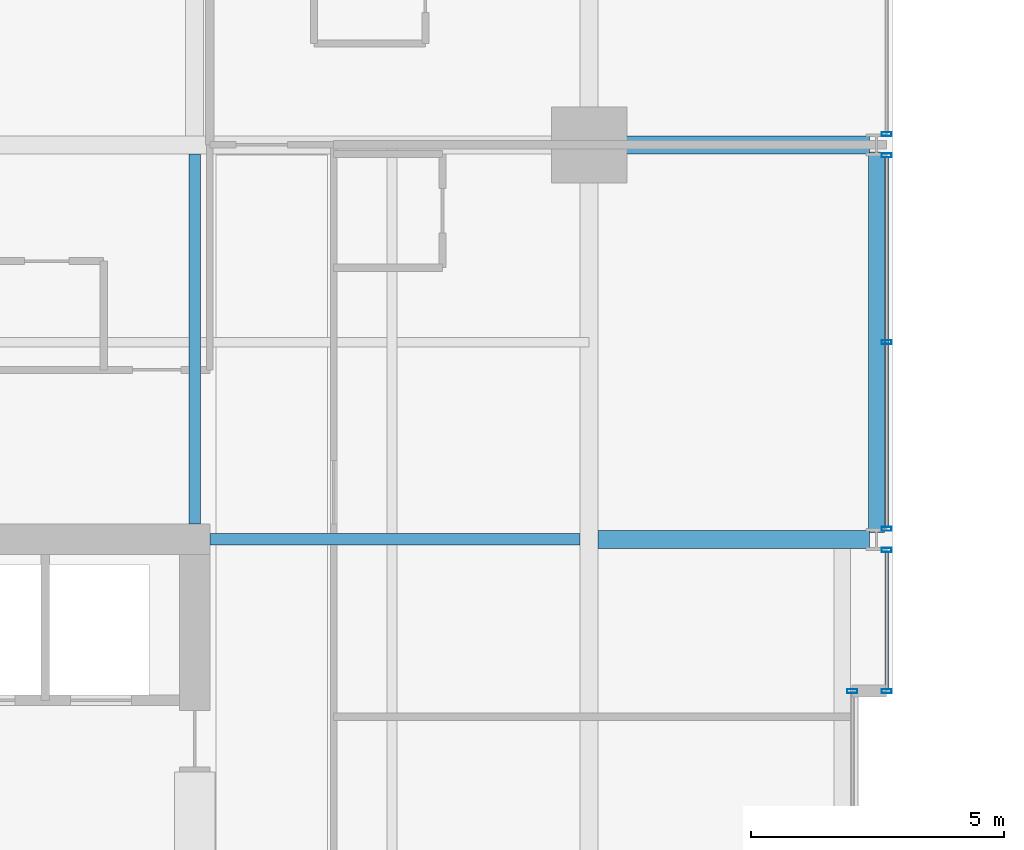
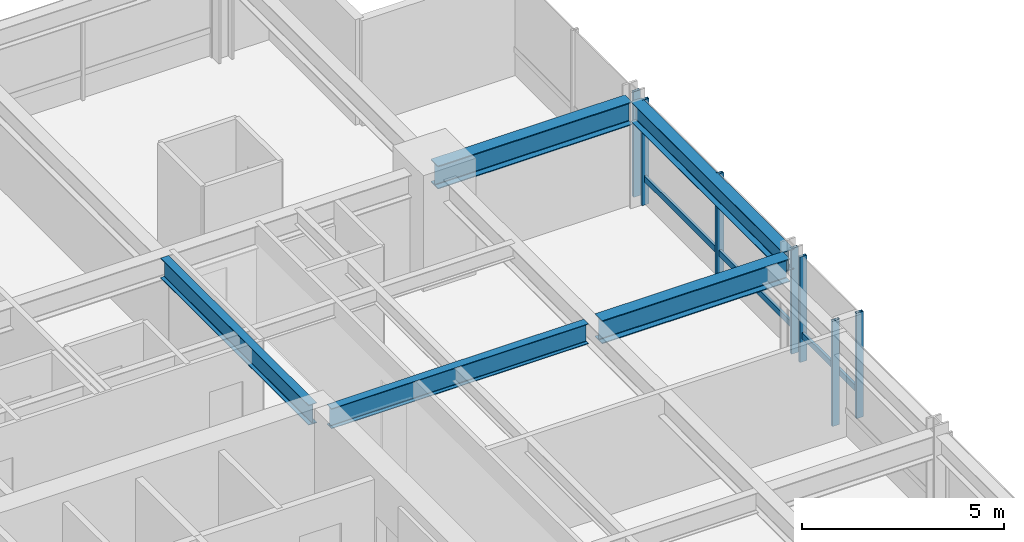
# One storey, part 23 of 35: 9 members, 5 beams, 4 elements without a shape of their own.
"""IFC4 building model written with IfcOpenShell, lengths in metres."""

from ifc_helpers import new_model, si_unit, direction, frame, origin, origin_2d, place, context, subcontext, project, spatial, hollow_rectangle, i_section, extrude, material, layer, layer_set, material_profile, profile_set, type_object, element, aggregate, save


model = new_model("IFC4")

# Units and contexts
model_context = context("Model", 3, precision=1e-05, world=origin(), true_north=direction((0.0, 1.0)))
body_context = subcontext(model_context, "Body", "Model", "MODEL_VIEW")
ifc_project = project(units=[si_unit("LENGTHUNIT", "METRE"), si_unit("AREAUNIT", "SQUARE_METRE"), si_unit("VOLUMEUNIT", "CUBIC_METRE"), si_unit("PLANEANGLEUNIT", "RADIAN"), si_unit("MASSUNIT", "GRAM", prefix="KILO")], contexts=[model_context])

# Site, building, storey
site_placement = place(None, origin())
site = spatial("IfcSite", under=ifc_project, at=site_placement, CompositionType="ELEMENT")
building_placement = place(site_placement, origin())
building = spatial("IfcBuilding", under=site, at=building_placement, Name="Drelvath Grand Hotel", CompositionType="ELEMENT")
storey_placement = place(building_placement, frame((0.0, 0.0, 137.300048828125)))
storey = spatial("IfcBuildingStorey", under=building, at=storey_placement, Name="L35", CompositionType="ELEMENT", Elevation=137.300048828125)

# Curtain wall, member
ifc_material_1 = material(Name="Champagne Bronze Anodised Aluminium Frame", Category="aluminium")
ifc_layer = layer(ifc_material_1, 0.199951171875)
ifc_layer_set = layer_set([ifc_layer], Name="Champagne Bronze Anodised Aluminium Frame")
curtain_wall_type = type_object("IfcCurtainWallType", Name="Stick Curtain Wall CW-03 Champagne Bronze Mid-Rise", PredefinedType="NOTDEFINED", material=ifc_layer_set)
curtain_wall_1_placement = place(storey_placement, origin())
curtain_wall_1 = element("IfcCurtainWall", 1, at=curtain_wall_1_placement, inside=storey, type_object=curtain_wall_type, Name="L35 CW-03 Curtain Wall CW03-L35-EN1", PredefinedType="NOTDEFINED")
ifc_material_profile_1 = material_profile(ifc_material_1, hollow_rectangle(XDim=0.074951171875, YDim=0.179931640625, WallThickness=0.0048828125, at=origin_2d()), Name="HSS180X75X5")
ifc_profile_set_1 = profile_set([ifc_material_profile_1], Name="Champagne Bronze Anodised Aluminium Frame")
member_type_1 = type_object("IfcMemberType", Name="Curtain Wall Horizontal Transom CW-03 HSS180X75X5", PredefinedType="USERDEFINED", material=ifc_profile_set_1)
member_1_placement = place(storey_placement, frame((22.080078125, 35.150634765625, 0.794921875), z_axis=(0.0, -1.0, 0.0), x_axis=(1.0, 0.0, 0.0)))
member_1 = element("IfcMember", 2, at=member_1_placement, type_object=member_type_1, Name="CW03-L35-EN1 Sill Transom", ObjectType="TRANSOM", PredefinedType="USERDEFINED", context=body_context, shape_type="SweptSolid", body=[
    extrude(hollow_rectangle(XDim=0.074951171875, YDim=0.179931640625, WallThickness=0.0048828125, at=origin_2d()), origin(), (0.0, 0.0, 1.0), 2.710693359375),
])

curtain_wall_2_placement = place(storey_placement, origin())
curtain_wall_2 = element("IfcCurtainWall", 3, at=curtain_wall_2_placement, inside=storey, type_object=curtain_wall_type, Name="L35 CW-03 Curtain Wall CW03-L35-EN2", PredefinedType="NOTDEFINED")
member_2_placement = place(storey_placement, frame((22.080078125, 42.95068359375, 0.794921875), z_axis=(0.0, -1.0, 0.0), x_axis=(1.0, 0.0, 0.0)))
member_2 = element("IfcMember", 4, at=member_2_placement, type_object=member_type_1, Name="CW03-L35-EN2 Sill Transom", ObjectType="TRANSOM", PredefinedType="USERDEFINED", context=body_context, shape_type="SweptSolid", body=[
    extrude(hollow_rectangle(XDim=0.074951171875, YDim=0.179931640625, WallThickness=0.0048828125, at=origin_2d()), origin(), (0.0, 0.0, 1.0), 7.30126953125),
])

# Member
ifc_material_profile_2 = material_profile(ifc_material_1, hollow_rectangle(XDim=0.080078125, YDim=0.199951171875, WallThickness=0.0048828125, at=origin_2d()), Name="HSS200X80X5")
ifc_profile_set_2 = profile_set([ifc_material_profile_2], Name="Champagne Bronze Anodised Aluminium Frame")
member_type_2 = type_object("IfcMemberType", Name="Curtain Wall Vertical Mullion CW-03 HSS200X80X5", PredefinedType="MULLION", material=ifc_profile_set_2)
member_3_placement = place(storey_placement, frame((22.080078125, 35.190673828125, 0.0), z_axis=(0.0, 0.0, 1.0), x_axis=(0.0, 1.0, 0.0)))
member_3 = element("IfcMember", 5, at=member_3_placement, type_object=member_type_2, Name="CW03-L35-EN1 Mullion 1", PredefinedType="MULLION", context=body_context, shape_type="SweptSolid", body=[
    extrude(hollow_rectangle(XDim=0.080078125, YDim=0.199951171875, WallThickness=0.0048828125, at=origin_2d()), origin(), (0.0, 0.0, 1.0), 3.179931640625),
])

member_4_placement = place(storey_placement, frame((22.080078125, 32.39990234375, 0.0), z_axis=(0.0, 0.0, 1.0), x_axis=(0.0, 1.0, 0.0)))
member_4 = element("IfcMember", 6, at=member_4_placement, type_object=member_type_2, Name="CW03-L35-EN1 Mullion 2", PredefinedType="MULLION", context=body_context, shape_type="SweptSolid", body=[
    extrude(hollow_rectangle(XDim=0.080078125, YDim=0.199951171875, WallThickness=0.0048828125, at=origin_2d()), origin(), (0.0, 0.0, 1.0), 3.179931640625),
])

aggregate(curtain_wall_1, [member_3, member_4, member_1])

member_5_placement = place(storey_placement, frame((22.080078125, 42.990478515625, 0.0), z_axis=(0.0, 0.0, 1.0), x_axis=(0.0, 1.0, 0.0)))
member_5 = element("IfcMember", 7, at=member_5_placement, type_object=member_type_2, Name="CW03-L35-EN2 Mullion 1", PredefinedType="MULLION", context=body_context, shape_type="SweptSolid", body=[
    extrude(hollow_rectangle(XDim=0.080078125, YDim=0.199951171875, WallThickness=0.0048828125, at=origin_2d()), origin(), (0.0, 0.0, 1.0), 3.179931640625),
])

member_6_placement = place(storey_placement, frame((22.080078125, 39.300048828125, 0.0), z_axis=(0.0, 0.0, 1.0), x_axis=(0.0, 1.0, 0.0)))
member_6 = element("IfcMember", 8, at=member_6_placement, type_object=member_type_2, Name="CW03-L35-EN2 Mullion 2", PredefinedType="MULLION", context=body_context, shape_type="SweptSolid", body=[
    extrude(hollow_rectangle(XDim=0.080078125, YDim=0.199951171875, WallThickness=0.0048828125, at=origin_2d()), origin(), (0.0, 0.0, 1.0), 3.179931640625),
])

member_7_placement = place(storey_placement, frame((22.080078125, 35.609375, 0.0), z_axis=(0.0, 0.0, 1.0), x_axis=(0.0, 1.0, 0.0)))
member_7 = element("IfcMember", 9, at=member_7_placement, type_object=member_type_2, Name="CW03-L35-EN2 Mullion 3", PredefinedType="MULLION", context=body_context, shape_type="SweptSolid", body=[
    extrude(hollow_rectangle(XDim=0.080078125, YDim=0.199951171875, WallThickness=0.0048828125, at=origin_2d()), origin(), (0.0, 0.0, 1.0), 3.179931640625),
])

aggregate(curtain_wall_2, [member_5, member_6, member_7, member_2])

# Curtain wall, member
curtain_wall_3_placement = place(storey_placement, origin())
curtain_wall_3 = element("IfcCurtainWall", 10, at=curtain_wall_3_placement, inside=storey, type_object=curtain_wall_type, Name="L35 CW-03 Curtain Wall CW03-L35-EN3", PredefinedType="NOTDEFINED")
member_8_placement = place(storey_placement, frame((22.080078125, 43.409423828125, 0.0), z_axis=(0.0, 0.0, 1.0), x_axis=(0.0, 1.0, 0.0)))
member_8 = element("IfcMember", 11, at=member_8_placement, type_object=member_type_2, Name="CW03-L35-EN3 Mullion 3", PredefinedType="MULLION", context=body_context, shape_type="SweptSolid", body=[
    extrude(hollow_rectangle(XDim=0.080078125, YDim=0.199951171875, WallThickness=0.0048828125, at=origin_2d()), origin(), (0.0, 0.0, 1.0), 3.179931640625),
])
aggregate(curtain_wall_3, [member_8])

curtain_wall_4_placement = place(storey_placement, origin())
curtain_wall_4 = element("IfcCurtainWall", 12, at=curtain_wall_4_placement, inside=storey, type_object=curtain_wall_type, Name="L35 CW-03 Curtain Wall CW03-L35-EM2", PredefinedType="NOTDEFINED")
member_9_placement = place(storey_placement, frame((21.39990234375, 32.39990234375, 0.0), z_axis=(0.0, 0.0, 1.0), x_axis=(0.0, 1.0, 0.0)))
member_9 = element("IfcMember", 13, at=member_9_placement, type_object=member_type_2, Name="CW03-L35-EM2 Mullion 1", PredefinedType="MULLION", context=body_context, shape_type="SweptSolid", body=[
    extrude(hollow_rectangle(XDim=0.080078125, YDim=0.199951171875, WallThickness=0.0048828125, at=origin_2d()), origin(), (0.0, 0.0, 1.0), 3.179931640625),
])
aggregate(curtain_wall_4, [member_9])

# Beams
ifc_material_2 = material(Name="Steel ASTM A992 Gr 50", Category="steel")
ifc_material_profile_3 = material_profile(ifc_material_2, i_section(OverallWidth=0.323974609375, OverallDepth=0.611083984375, WebThickness=0.0126953125, FlangeThickness=0.01904296875, FilletRadius=0.02197265625, at=origin_2d()), Name="W24X104")
ifc_profile_set_3 = profile_set([ifc_material_profile_3], Name="Steel ASTM A992 Gr 50")
beam_type_1 = type_object("IfcBeamType", Name="Perimeter Spandrel Beam W24X104", PredefinedType="SPANDREL", material=ifc_profile_set_3)
beam_1_placement = place(storey_placement, frame((21.8798828125, 35.5400390625, 2.874267578125), z_axis=(0.0, 1.0, 0.0), x_axis=(-1.0, 0.0, 0.0)))
element("IfcBeam", 14, at=beam_1_placement, inside=storey, type_object=beam_type_1, Name="L35 Spandrel East N", PredefinedType="SPANDREL", context=body_context, shape_type="SweptSolid", body=[
    extrude(i_section(OverallWidth=0.323974609375, OverallDepth=0.611083984375, WebThickness=0.0126953125, FlangeThickness=0.01904296875, FilletRadius=0.02197265625, at=origin_2d()), origin(), (0.0, 0.0, 1.0), 7.52001953125),
])
ifc_material_profile_4 = material_profile(ifc_material_2, i_section(OverallWidth=0.228271484375, OverallDepth=0.607666015625, WebThickness=0.01123046875, FlangeThickness=0.017333984375, FilletRadius=0.02001953125, at=origin_2d()), Name="W24X76")
ifc_profile_set_4 = profile_set([ifc_material_profile_4], Name="Steel ASTM A992 Gr 50")
beam_type_2 = type_object("IfcBeamType", Name="Primary Floor Girder W24X76", PredefinedType="BEAM", material=ifc_profile_set_4)
for number, where, z_axis, x_axis, name in (
    (15, (8.699951171875, 35.39990234375, 2.876220703125), (1.0, 0.0, 0.0), (0.0, 1.0, 0.0), "L35 East Core Tie F"),
    (16, (8.39990234375, 35.699951171875, 2.876220703125), (0.0, 1.0, 0.0), (-1.0, 0.0, 0.0), "L35 North Core Tie 6"),
):
    element("IfcBeam", number, at=place(storey_placement, frame(where, z_axis=z_axis, x_axis=x_axis)), inside=storey, type_object=beam_type_2, Name=name, PredefinedType="BEAM", context=body_context, shape_type="SweptSolid", body=[
        extrude(i_section(OverallWidth=0.228271484375, OverallDepth=0.607666015625, WebThickness=0.01123046875, FlangeThickness=0.017333984375, FilletRadius=0.02001953125, at=origin_2d()), origin(), (0.0, 0.0, 1.0), 7.32275390625),
    ])
ifc_material_profile_5 = material_profile(ifc_material_2, i_section(OverallWidth=0.354736328125, OverallDepth=0.695556640625, WebThickness=0.015380859375, FlangeThickness=0.025146484375, FilletRadius=0.02392578125, at=origin_2d()), Name="W27X146")
ifc_profile_set_5 = profile_set([ifc_material_profile_5], Name="Steel ASTM A992 Gr 50")
beam_type_3 = type_object("IfcBeamType", Name="Primary Floor Girder W27X146", PredefinedType="BEAM", material=ifc_profile_set_5)
beam_2_placement = place(storey_placement, frame((16.199951171875, 43.199951171875, 2.83203125), z_axis=(1.0, 0.0, 0.0), x_axis=(0.0, 1.0, 0.0)))
element("IfcBeam", 17, at=beam_2_placement, inside=storey, type_object=beam_type_3, Name="L35 East Grid Girder G", PredefinedType="BEAM", context=body_context, shape_type="SweptSolid", body=[
    extrude(i_section(OverallWidth=0.354736328125, OverallDepth=0.695556640625, WebThickness=0.015380859375, FlangeThickness=0.025146484375, FilletRadius=0.02392578125, at=origin_2d()), origin(), (0.0, 0.0, 1.0), 5.5400390625),
])
beam_3_placement = place(storey_placement, frame((16.37744140625, 35.39990234375, 2.83203125), z_axis=(1.0, 0.0, 0.0), x_axis=(0.0, 1.0, 0.0)))
element("IfcBeam", 18, at=beam_3_placement, inside=storey, type_object=beam_type_3, Name="L35 East Wing Girder F", PredefinedType="BEAM", context=body_context, shape_type="SweptSolid", body=[
    extrude(i_section(OverallWidth=0.354736328125, OverallDepth=0.695556640625, WebThickness=0.015380859375, FlangeThickness=0.025146484375, FilletRadius=0.02392578125, at=origin_2d()), origin(), (0.0, 0.0, 1.0), 5.362548828125),
])

save(model, "model.ifc")
